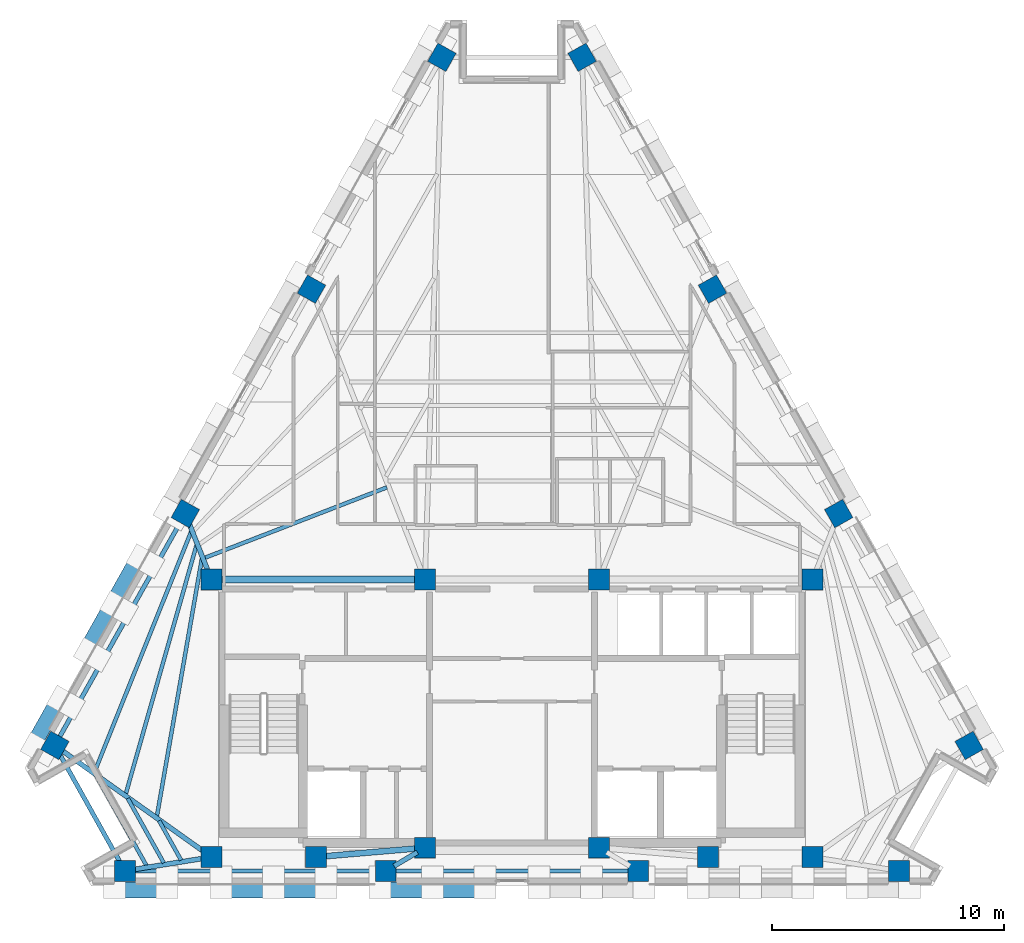
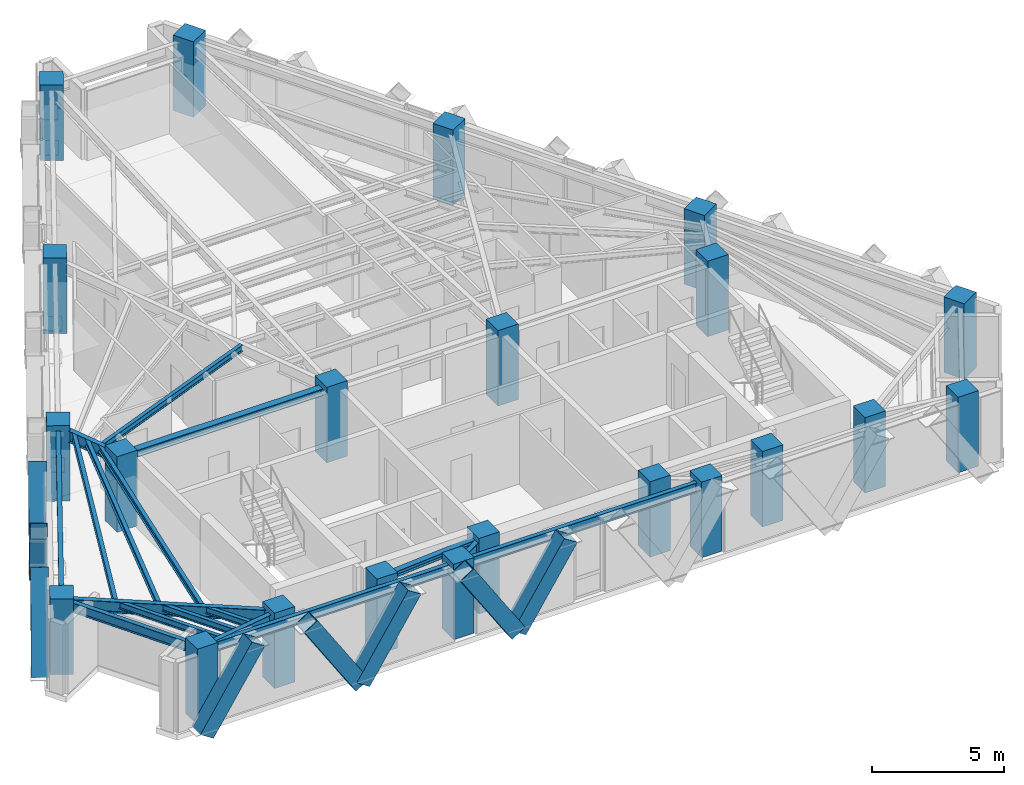
# One storey, part 1 of 12: 22 columns, 17 beams, 8 members.
"""IFC4 building model written with IfcOpenShell, lengths in metres."""

from ifc_helpers import new_model, si_unit, direction, frame, origin, origin_2d, place, context, subcontext, project, spatial, rectangle, hollow_rectangle, i_section, extrude, material, material_profile, profile_set, type_object, element, save


model = new_model("IFC4")

# Units and contexts
model_context = context("Model", 3, precision=1e-05, world=origin(), true_north=direction((0.0, 1.0)))
body_context = subcontext(model_context, "Body", "Model", "MODEL_VIEW")
ifc_project = project(units=[si_unit("LENGTHUNIT", "METRE"), si_unit("AREAUNIT", "SQUARE_METRE"), si_unit("VOLUMEUNIT", "CUBIC_METRE"), si_unit("PLANEANGLEUNIT", "RADIAN"), si_unit("MASSUNIT", "GRAM", prefix="KILO")], contexts=[model_context])

# Site, building, storey
site_placement = place(None, origin())
site = spatial("IfcSite", under=ifc_project, at=site_placement, CompositionType="ELEMENT")
building_placement = place(site_placement, origin())
building = spatial("IfcBuilding", under=site, at=building_placement, Name="Quenlor Broadcast Tower", CompositionType="ELEMENT")
storey_placement = place(building_placement, frame((0.0, 0.0, 211.39990234375)))
storey = spatial("IfcBuildingStorey", under=building, at=storey_placement, Name="L58", CompositionType="ELEMENT", Elevation=211.39990234375)

# Columns
ifc_material_1 = material(Name="Concrete C50/60", Category="concrete")
ifc_material_profile_1 = material_profile(ifc_material_1, rectangle(XDim=0.89990234375, YDim=0.89990234375, at=origin_2d()))
ifc_profile_set_1 = profile_set([ifc_material_profile_1], Name="Concrete C50/60 RC900x900")
column_type_1 = type_object("IfcColumnType", Name="Core Corner Column Upper Concrete C50/60 900", PredefinedType="COLUMN", material=ifc_profile_set_1)
for number, where, z_axis, x_axis, name in (
    (1, (-12.949951171875, -16.75, 0.0), (0.0, 0.0, 1.0), (1.0, 0.0, 0.0), "L58 Core Column CC1"),
    (2, (-8.449951171875, -16.75, 0.0), (0.0, 0.0, 1.0), (1.0, 0.0, 0.0), "L58 Core Column CC2"),
    (3, (-3.75, -16.35009765625, 0.0), (0.0, 0.0, 1.0), (1.0, 0.0, 0.0), "L58 Core Column CC3"),
    (4, (3.75, -16.35009765625, 0.0), (0.0, 0.0, 1.0), (1.0, 0.0, 0.0), "L58 Core Column CC4"),
    (5, (8.449951171875, -16.75, 0.0), (0.0, 0.0, 1.0), (1.0, 0.0, 0.0), "L58 Core Column CC5"),
    (6, (12.949951171875, -16.75, 0.0), (0.0, 0.0, 1.0), (1.0, 0.0, 0.0), "L58 Core Column CC6"),
    (7, (-12.949951171875, -4.800048828125, 0.0), (0.0, 0.0, 1.0), (1.0, 0.0, 0.0), "L58 Core Column CC7"),
    (8, (-3.75, -4.800048828125, 0.0), (0.0, 0.0, 1.0), (1.0, 0.0, 0.0), "L58 Core Column CC8"),
    (9, (3.75, -4.800048828125, 0.0), (0.0, 0.0, 1.0), (1.0, 0.0, 0.0), "L58 Core Column CC9"),
    (10, (12.949951171875, -4.800048828125, 0.0), (0.0, 0.0, 1.0), (1.0, 0.0, 0.0), "L58 Core Column CC10"),
):
    element("IfcColumn", number, at=place(storey_placement, frame(where, z_axis=z_axis, x_axis=x_axis)), inside=storey, type_object=column_type_1, Name=name, PredefinedType="COLUMN", context=body_context, shape_type="SweptSolid", body=[
        extrude(rectangle(XDim=0.89990234375, YDim=0.89990234375, at=origin_2d()), origin(), (0.0, 0.0, 1.0), 3.5),
    ])
ifc_material_2 = material(Name="Concrete C50/60", Category="concrete")
ifc_material_profile_2 = material_profile(ifc_material_2, rectangle(XDim=0.89990234375, YDim=0.89990234375, at=origin_2d()))
ifc_profile_set_2 = profile_set([ifc_material_profile_2], Name="Concrete C50/60 RC900x900")
column_type_2 = type_object("IfcColumnType", Name="Tower Perimeter Column Z4 Concrete C50/60 900", PredefinedType="COLUMN", material=ifc_profile_set_2)
for number, where, z_axis, x_axis, name in (
    (11, (-16.67578125, -17.35009765625, 0.0), (0.0, 0.0, 1.0), (0.0, 1.0, 0.0), "L58 Perimeter Column S1"),
    (12, (-5.437744140625, -17.35009765625, 0.0), (0.0, 0.0, 1.0), (0.0, 1.0, 0.0), "L58 Perimeter Column S2"),
    (13, (5.437744140625, -17.35009765625, 0.0), (0.0, 0.0, 1.0), (0.0, 1.0, 0.0), "L58 Perimeter Column S3"),
    (14, (16.67578125, -17.35009765625, 0.0), (0.0, 0.0, 1.0), (0.0, 1.0, 0.0), "L58 Perimeter Column S4"),
    (15, (19.696533203125, -11.941650390625, 0.0), (0.0, 0.0, 1.0), (0.871575139605, 0.490261946333, 0.0), "L58 Perimeter Column NE1"),
    (16, (14.077392578125, -1.952392578125, 0.0), (0.0, 0.0, 1.0), (0.871575139605, 0.490261946333, 0.0), "L58 Perimeter Column NE2"),
    (17, (8.6396484375, 7.71484375, 0.0), (0.0, 0.0, 1.0), (0.871575139605, 0.490261946333, 0.0), "L58 Perimeter Column NE3"),
    (18, (3.0205078125, 17.704345703125, 0.0), (0.0, 0.0, 1.0), (0.871575139605, 0.490261946333, 0.0), "L58 Perimeter Column NE4"),
    (19, (-3.0205078125, 17.704345703125, 0.0), (0.0, 0.0, 1.0), (-0.871575139605, 0.490261946333, 0.0), "L58 Perimeter Column NW1"),
    (20, (-8.6396484375, 7.71484375, 0.0), (0.0, 0.0, 1.0), (-0.871575139605, 0.490261946333, 0.0), "L58 Perimeter Column NW2"),
    (21, (-14.077392578125, -1.952392578125, 0.0), (0.0, 0.0, 1.0), (-0.871575139605, 0.490261946333, 0.0), "L58 Perimeter Column NW3"),
    (22, (-19.696533203125, -11.941650390625, 0.0), (0.0, 0.0, 1.0), (-0.871575139605, 0.490261946333, 0.0), "L58 Perimeter Column NW4"),
):
    element("IfcColumn", number, at=place(storey_placement, frame(where, z_axis=z_axis, x_axis=x_axis)), inside=storey, type_object=column_type_2, Name=name, PredefinedType="COLUMN", context=body_context, shape_type="SweptSolid", body=[
        extrude(rectangle(XDim=0.89990234375, YDim=0.89990234375, at=origin_2d()), origin(), (0.0, 0.0, 1.0), 3.5),
    ])

# Beams
ifc_material_3 = material(Name="Steel S355", Category="steel")
ifc_material_profile_3 = material_profile(ifc_material_3, i_section(OverallWidth=0.25390625, OverallDepth=0.25390625, WebThickness=0.008544921875, FlangeThickness=0.01416015625, FilletRadius=0.013916015625, at=origin_2d()))
ifc_profile_set_3 = profile_set([ifc_material_profile_3], Name="Steel S355 250UC72.9")
beam_type_1 = type_object("IfcBeamType", Name="Core Opening Lintel Beam Steel S355 250UC72.9", PredefinedType="LINTEL", material=ifc_profile_set_3)
beam_1_placement = place(storey_placement, frame((-8.09130859375, -16.719482421875, 3.123291015625), z_axis=(0.996399763903, 0.084779186679, 0.0), x_axis=(-0.084779186679, 0.996399763903, 0.0)))
element("IfcBeam", 23, at=beam_1_placement, inside=storey, type_object=beam_type_1, Name="L58 Core Opening Lintel Beam 4", PredefinedType="LINTEL", context=body_context, shape_type="SweptSolid", body=[
    extrude(i_section(OverallWidth=0.25390625, OverallDepth=0.25390625, WebThickness=0.008544921875, FlangeThickness=0.01416015625, FilletRadius=0.013916015625, at=origin_2d()), origin(), (0.0, 0.0, 1.0), 3.9970703125),
])
ifc_material_4 = material(Name="Steel S355", Category="steel")
ifc_material_profile_4 = material_profile(ifc_material_4, i_section(OverallWidth=0.306884765625, OverallDepth=0.314697265625, WebThickness=0.011962890625, FlangeThickness=0.018798828125, FilletRadius=0.0166015625, at=origin_2d()))
ifc_profile_set_4 = profile_set([ifc_material_profile_4], Name="Steel S355 310UC118")
beam_type_2 = type_object("IfcBeamType", Name="Core Tie Beam Steel S355 310UC118", PredefinedType="BEAM", material=ifc_profile_set_4)
beam_2_placement = place(storey_placement, frame((-12.590087890625, -4.800048828125, 3.0927734375), z_axis=(1.0, 0.0, 0.0), x_axis=(0.0, 1.0, 0.0)))
element("IfcBeam", 24, at=beam_2_placement, inside=storey, type_object=beam_type_2, Name="L58 Core Tie Beam 1", PredefinedType="BEAM", context=body_context, shape_type="SweptSolid", body=[
    extrude(i_section(OverallWidth=0.306884765625, OverallDepth=0.314697265625, WebThickness=0.011962890625, FlangeThickness=0.018798828125, FilletRadius=0.0166015625, at=origin_2d()), origin(), (0.0, 0.0, 1.0), 8.47998046875),
])

# Members
ifc_material_5 = material(Name="Steel S355", Category="steel")
ifc_material_profile_5 = material_profile(ifc_material_5, hollow_rectangle(XDim=0.679931640625, YDim=0.679931640625, WallThickness=0.02490234375, at=origin_2d()))
ifc_profile_set_5 = profile_set([ifc_material_profile_5], Name="Steel S355 RHS680x680x25")
member_type = type_object("IfcMemberType", Name="Perimeter Diagonal Lattice Brace Z3-Z4 Steel S355 RHS680x25", PredefinedType="BRACE", material=ifc_profile_set_5)
for number, where, z_axis, x_axis, name in (
    (25, (-3.41162109375, -18.169921875, -0.119873046875), (0.541794306908, 0.0, 0.840511111766), (0.0, 1.0, 0.0), "L58 Perimeter Diamond Lattice S-C3B"),
    (26, (-3.43896484375, -18.169921875, -0.119873046875), (-0.541794306908, 0.0, 0.840511111766), (0.0, -1.0, 0.0), "L58 Perimeter Diamond Lattice S-C4S"),
    (27, (-10.261962890625, -18.169921875, -0.119873046875), (0.541794306908, 0.0, 0.840511111766), (0.0, 1.0, 0.0), "L58 Perimeter Diamond Lattice S-C4B"),
    (28, (-10.289306640625, -18.169921875, -0.119873046875), (-0.541794306908, 0.0, 0.840511111766), (0.0, -1.0, 0.0), "L58 Perimeter Diamond Lattice S-C5S"),
    (29, (-17.1123046875, -18.169921875, -0.119873046875), (0.541794306908, 0.0, 0.840511111766), (0.0, 1.0, 0.0), "L58 Perimeter Diamond Lattice S-C5B"),
):
    element("IfcMember", number, at=place(storey_placement, frame(where, z_axis=z_axis, x_axis=x_axis)), inside=storey, type_object=member_type, Name=name, PredefinedType="BRACE", context=body_context, shape_type="SweptSolid", body=[
        extrude(hollow_rectangle(XDim=0.679931640625, YDim=0.679931640625, WallThickness=0.02490234375, at=origin_2d()), origin(), (0.0, 0.0, 1.0), 4.1640625),
    ])
member_1_placement = place(storey_placement, frame((-20.63916015625, -11.94482421875, -0.119873046875), z_axis=(0.269547055694, 0.479136497832, 0.835327840559), x_axis=(-0.871550060774, 0.49030652817, 0.0)))
element("IfcMember", 30, at=member_1_placement, inside=storey, type_object=member_type, Name="L58 Perimeter Diamond Lattice NW-C1S", PredefinedType="BRACE", context=body_context, shape_type="SweptSolid", body=[
    extrude(hollow_rectangle(XDim=0.679931640625, YDim=0.679931640625, WallThickness=0.02490234375, at=origin_2d()), origin(), (0.0, 0.0, 1.0), 4.18994140625),
])
member_2_placement = place(storey_placement, frame((-17.2236328125, -5.873046875, -0.119873046875), z_axis=(-0.269539530269, -0.479181387144, 0.835304519224), x_axis=(0.871575537125, -0.490261239633, 0.0)))
element("IfcMember", 31, at=member_2_placement, inside=storey, type_object=member_type, Name="L58 Perimeter Diamond Lattice NW-C1B", PredefinedType="BRACE", context=body_context, shape_type="SweptSolid", body=[
    extrude(hollow_rectangle(XDim=0.679931640625, YDim=0.679931640625, WallThickness=0.02490234375, at=origin_2d()), origin(), (0.0, 0.0, 1.0), 4.190185546875),
])
member_3_placement = place(storey_placement, frame((-17.2099609375, -5.8486328125, -0.119873046875), z_axis=(0.269547055694, 0.479136497832, 0.835327840559), x_axis=(-0.871550060774, 0.49030652817, 0.0)))
element("IfcMember", 32, at=member_3_placement, inside=storey, type_object=member_type, Name="L58 Perimeter Diamond Lattice NW-C2S", PredefinedType="BRACE", context=body_context, shape_type="SweptSolid", body=[
    extrude(hollow_rectangle(XDim=0.679931640625, YDim=0.679931640625, WallThickness=0.02490234375, at=origin_2d()), origin(), (0.0, 0.0, 1.0), 4.18994140625),
])

# Beams
ifc_material_6 = material(Name="Steel S355", Category="steel")
ifc_material_profile_6 = material_profile(ifc_material_6, i_section(OverallWidth=0.18994140625, OverallDepth=0.453857421875, WebThickness=0.008544921875, FlangeThickness=0.0126953125, FilletRadius=0.011474609375, at=origin_2d()))
ifc_profile_set_6 = profile_set([ifc_material_profile_6], Name="Steel S355 460UB67.1")
beam_type_3 = type_object("IfcBeamType", Name="Perimeter Spandrel Beam Z4 Steel S355 460UB67.1", PredefinedType="SPANDREL", material=ifc_profile_set_6)
beam_3_placement = place(storey_placement, frame((-16.265869140625, -17.35009765625, 3.023193359375), z_axis=(1.0, 0.0, 0.0), x_axis=(0.0, 1.0, 0.0)))
element("IfcBeam", 33, at=beam_3_placement, inside=storey, type_object=beam_type_3, Name="L58 Spandrel Beam S1-S2", PredefinedType="SPANDREL", context=body_context, shape_type="SweptSolid", body=[
    extrude(i_section(OverallWidth=0.18994140625, OverallDepth=0.453857421875, WebThickness=0.008544921875, FlangeThickness=0.0126953125, FilletRadius=0.011474609375, at=origin_2d()), origin(), (0.0, 0.0, 1.0), 10.41796875),
])
beam_4_placement = place(storey_placement, frame((-5.02783203125, -17.35009765625, 3.023193359375), z_axis=(1.0, 0.0, 0.0), x_axis=(0.0, 1.0, 0.0)))
element("IfcBeam", 34, at=beam_4_placement, inside=storey, type_object=beam_type_3, Name="L58 Spandrel Beam S2-S3", PredefinedType="SPANDREL", context=body_context, shape_type="SweptSolid", body=[
    extrude(i_section(OverallWidth=0.18994140625, OverallDepth=0.453857421875, WebThickness=0.008544921875, FlangeThickness=0.0126953125, FilletRadius=0.011474609375, at=origin_2d()), origin(), (0.0, 0.0, 1.0), 10.0556640625),
])
beam_5_placement = place(storey_placement, frame((-14.2783203125, -2.3095703125, 3.023193359375), z_axis=(-0.490272131974, -0.871569410093, 0.0), x_axis=(0.871569410093, -0.490272131974, 0.0)))
element("IfcBeam", 35, at=beam_5_placement, inside=storey, type_object=beam_type_3, Name="L58 Spandrel Beam NW3-NW4", PredefinedType="SPANDREL", context=body_context, shape_type="SweptSolid", body=[
    extrude(i_section(OverallWidth=0.18994140625, OverallDepth=0.453857421875, WebThickness=0.008544921875, FlangeThickness=0.0126953125, FilletRadius=0.011474609375, at=origin_2d()), origin(), (0.0, 0.0, 1.0), 10.6416015625),
])
beam_6_placement = place(storey_placement, frame((-19.49658203125, -12.2998046875, 3.023193359375), z_axis=(0.487647250206, -0.8730407547, 0.0), x_axis=(0.8730407547, 0.487647250206, 0.0)))
element("IfcBeam", 36, at=beam_6_placement, inside=storey, type_object=beam_type_3, Name="L58 Spandrel Beam NW4-S1", PredefinedType="SPANDREL", context=body_context, shape_type="SweptSolid", body=[
    extrude(i_section(OverallWidth=0.18994140625, OverallDepth=0.453857421875, WebThickness=0.008544921875, FlangeThickness=0.0126953125, FilletRadius=0.011474609375, at=origin_2d()), origin(), (0.0, 0.0, 1.0), 5.37451171875),
])
ifc_material_7 = material(Name="Steel S355", Category="steel")
ifc_material_profile_7 = material_profile(ifc_material_7, i_section(OverallWidth=0.166015625, OverallDepth=0.30712890625, WebThickness=0.006591796875, FlangeThickness=0.01171875, FilletRadius=0.011474609375, at=origin_2d()))
ifc_profile_set_7 = profile_set([ifc_material_profile_7], Name="Steel S355 310UB46.2")
beam_type_4 = type_object("IfcBeamType", Name="Tower Composite Joist Z4-Z5 Steel S355 310UB46.2", PredefinedType="JOIST", material=ifc_profile_set_7)
beam_7_placement = place(storey_placement, frame((-13.236083984375, -3.85986328125, 3.096435546875), z_axis=(0.932639299023, 0.360810113381, 0.0), x_axis=(-0.360810113381, 0.932639299023, 0.0)))
element("IfcBeam", 37, at=beam_7_placement, inside=storey, type_object=beam_type_4, Name="L58 Secondary Composite Joist 7", PredefinedType="JOIST", context=body_context, shape_type="SweptSolid", body=[
    extrude(i_section(OverallWidth=0.166015625, OverallDepth=0.30712890625, WebThickness=0.006591796875, FlangeThickness=0.01171875, FilletRadius=0.011474609375, at=origin_2d()), origin(), (0.0, 0.0, 1.0), 8.413330078125),
])
beam_8_placement = place(storey_placement, frame((-15.297607421875, -14.98828125, 3.096435546875), z_axis=(0.172003691938, 0.985096304916, 0.0), x_axis=(-0.985096304916, 0.172003691938, 0.0)))
element("IfcBeam", 38, at=beam_8_placement, inside=storey, type_object=beam_type_4, Name="L58 Secondary Composite Joist 13", PredefinedType="JOIST", context=body_context, shape_type="SweptSolid", body=[
    extrude(i_section(OverallWidth=0.166015625, OverallDepth=0.30712890625, WebThickness=0.006591796875, FlangeThickness=0.01171875, FilletRadius=0.011474609375, at=origin_2d()), origin(), (0.0, 0.0, 1.0), 11.274169921875),
])
beam_9_placement = place(storey_placement, frame((-16.638671875, -14.028564453125, 3.096435546875), z_axis=(0.273447576454, 0.961886907558, 0.0), x_axis=(-0.961886907558, 0.273447576454, 0.0)))
element("IfcBeam", 39, at=beam_9_placement, inside=storey, type_object=beam_type_4, Name="L58 Secondary Composite Joist 14", PredefinedType="JOIST", context=body_context, shape_type="SweptSolid", body=[
    extrude(i_section(OverallWidth=0.166015625, OverallDepth=0.30712890625, WebThickness=0.006591796875, FlangeThickness=0.01171875, FilletRadius=0.011474609375, at=origin_2d()), origin(), (0.0, 0.0, 1.0), 11.142333984375),
])
beam_10_placement = place(storey_placement, frame((-17.97998046875, -13.069580078125, 3.096435546875), z_axis=(0.373094895103, 0.927793187757, 0.0), x_axis=(-0.927793187757, 0.373094895103, 0.0)))
element("IfcBeam", 40, at=beam_10_placement, inside=storey, type_object=beam_type_4, Name="L58 Secondary Composite Joist 15", PredefinedType="JOIST", context=body_context, shape_type="SweptSolid", body=[
    extrude(i_section(OverallWidth=0.166015625, OverallDepth=0.30712890625, WebThickness=0.006591796875, FlangeThickness=0.01171875, FilletRadius=0.011474609375, at=origin_2d()), origin(), (0.0, 0.0, 1.0), 11.13525390625),
])
beam_11_placement = place(storey_placement, frame((-14.255859375, -16.88427734375, 3.096435546875), z_axis=(-0.487590799665, 0.873072283423, 0.0), x_axis=(-0.873072283423, -0.487590799665, 0.0)))
element("IfcBeam", 41, at=beam_11_placement, inside=storey, type_object=beam_type_4, Name="L58 Secondary Composite Joist 19", PredefinedType="JOIST", context=body_context, shape_type="SweptSolid", body=[
    extrude(i_section(OverallWidth=0.166015625, OverallDepth=0.30712890625, WebThickness=0.006591796875, FlangeThickness=0.01171875, FilletRadius=0.011474609375, at=origin_2d()), origin(), (0.0, 0.0, 1.0), 1.9462890625),
])
beam_12_placement = place(storey_placement, frame((-15.0009765625, -17.004150390625, 3.096435546875), z_axis=(-0.487646119388, 0.87304138633, 0.0), x_axis=(-0.87304138633, -0.487646119388, 0.0)))
element("IfcBeam", 42, at=beam_12_placement, inside=storey, type_object=beam_type_4, Name="L58 Secondary Composite Joist 20", PredefinedType="JOIST", context=body_context, shape_type="SweptSolid", body=[
    extrude(i_section(OverallWidth=0.166015625, OverallDepth=0.30712890625, WebThickness=0.006591796875, FlangeThickness=0.01171875, FilletRadius=0.011474609375, at=origin_2d()), origin(), (0.0, 0.0, 1.0), 3.18505859375),
])
beam_13_placement = place(storey_placement, frame((-15.74609375, -17.124267578125, 3.096435546875), z_axis=(-0.487604899573, 0.873064408799, 0.0), x_axis=(-0.873064408799, -0.487604899573, 0.0)))
element("IfcBeam", 43, at=beam_13_placement, inside=storey, type_object=beam_type_4, Name="L58 Secondary Composite Joist 21", PredefinedType="JOIST", context=body_context, shape_type="SweptSolid", body=[
    extrude(i_section(OverallWidth=0.166015625, OverallDepth=0.30712890625, WebThickness=0.006591796875, FlangeThickness=0.01171875, FilletRadius=0.011474609375, at=origin_2d()), origin(), (0.0, 0.0, 1.0), 4.424072265625),
])
ifc_material_8 = material(Name="Steel S355", Category="steel")
ifc_material_profile_8 = material_profile(ifc_material_8, i_section(OverallWidth=0.208984375, OverallDepth=0.5283203125, WebThickness=0.009521484375, FlangeThickness=0.01318359375, FilletRadius=0.013916015625, at=origin_2d()))
ifc_profile_set_8 = profile_set([ifc_material_profile_8], Name="Steel S355 530UB82.0")
beam_type_5 = type_object("IfcBeamType", Name="Tower Primary Floor Beam Z4 Steel S355 530UB82.0", PredefinedType="BEAM", material=ifc_profile_set_8)
beam_14_placement = place(storey_placement, frame((-16.27099609375, -17.284912109375, 2.986083984375), z_axis=(0.987268490875, 0.159062650942, 0.0), x_axis=(-0.159062650942, 0.987268490875, 0.0)))
element("IfcBeam", 44, at=beam_14_placement, inside=storey, type_object=beam_type_5, Name="L58 Primary Radial Beam S1", PredefinedType="BEAM", context=body_context, shape_type="SweptSolid", body=[
    extrude(i_section(OverallWidth=0.208984375, OverallDepth=0.5283203125, WebThickness=0.009521484375, FlangeThickness=0.01318359375, FilletRadius=0.013916015625, at=origin_2d()), origin(), (0.0, 0.0, 1.0), 2.98388671875),
])
beam_15_placement = place(storey_placement, frame((-5.085205078125, -17.14111328125, 2.986083984375), z_axis=(0.86032875258, 0.509739578102, 0.0), x_axis=(-0.509739578102, 0.86032875258, 0.0)))
element("IfcBeam", 45, at=beam_15_placement, inside=storey, type_object=beam_type_5, Name="L58 Primary Radial Beam S2", PredefinedType="BEAM", context=body_context, shape_type="SweptSolid", body=[
    extrude(i_section(OverallWidth=0.208984375, OverallDepth=0.5283203125, WebThickness=0.009521484375, FlangeThickness=0.01318359375, FilletRadius=0.013916015625, at=origin_2d()), origin(), (0.0, 0.0, 1.0), 1.171875),
])
beam_16_placement = place(storey_placement, frame((-13.926513671875, -2.33349609375, 2.986083984375), z_axis=(0.368110359783, -0.92978210513, 0.0), x_axis=(0.92978210513, 0.368110359783, 0.0)))
element("IfcBeam", 46, at=beam_16_placement, inside=storey, type_object=beam_type_5, Name="L58 Primary Radial Beam NW3", PredefinedType="BEAM", context=body_context, shape_type="SweptSolid", body=[
    extrude(i_section(OverallWidth=0.208984375, OverallDepth=0.5283203125, WebThickness=0.009521484375, FlangeThickness=0.01318359375, FilletRadius=0.013916015625, at=origin_2d()), origin(), (0.0, 0.0, 1.0), 2.27294921875),
])
beam_17_placement = place(storey_placement, frame((-19.362548828125, -12.1796875, 2.986083984375), z_axis=(0.814329531787, -0.580402802938, 0.0), x_axis=(0.580402802938, 0.814329531787, 0.0)))
element("IfcBeam", 47, at=beam_17_placement, inside=storey, type_object=beam_type_5, Name="L58 Primary Radial Beam NW4", PredefinedType="BEAM", context=body_context, shape_type="SweptSolid", body=[
    extrude(i_section(OverallWidth=0.208984375, OverallDepth=0.5283203125, WebThickness=0.009521484375, FlangeThickness=0.01318359375, FilletRadius=0.013916015625, at=origin_2d()), origin(), (0.0, 0.0, 1.0), 7.49462890625),
])

save(model, "model.ifc")
